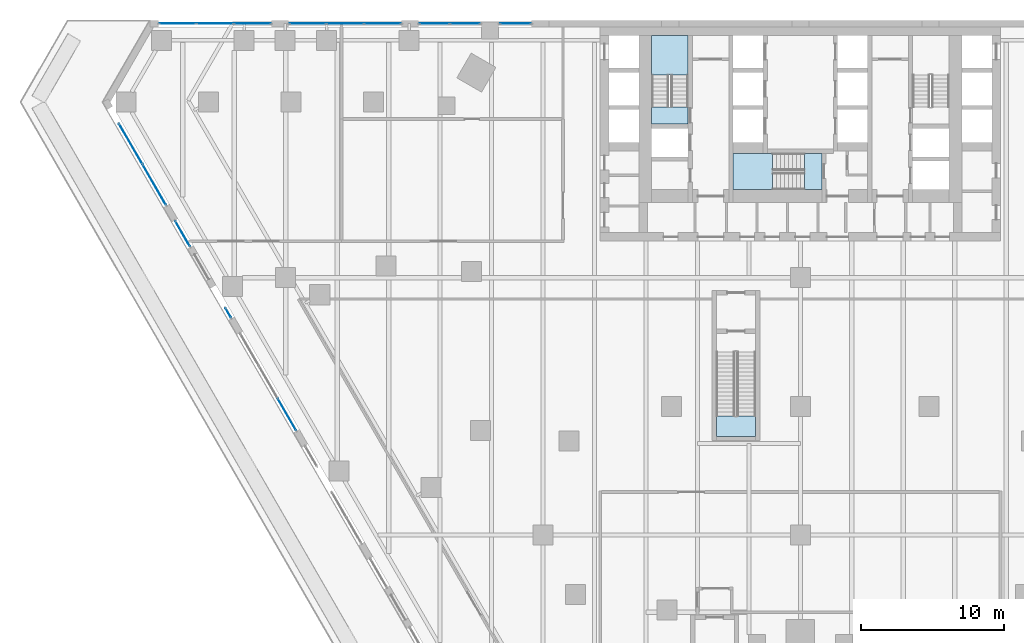
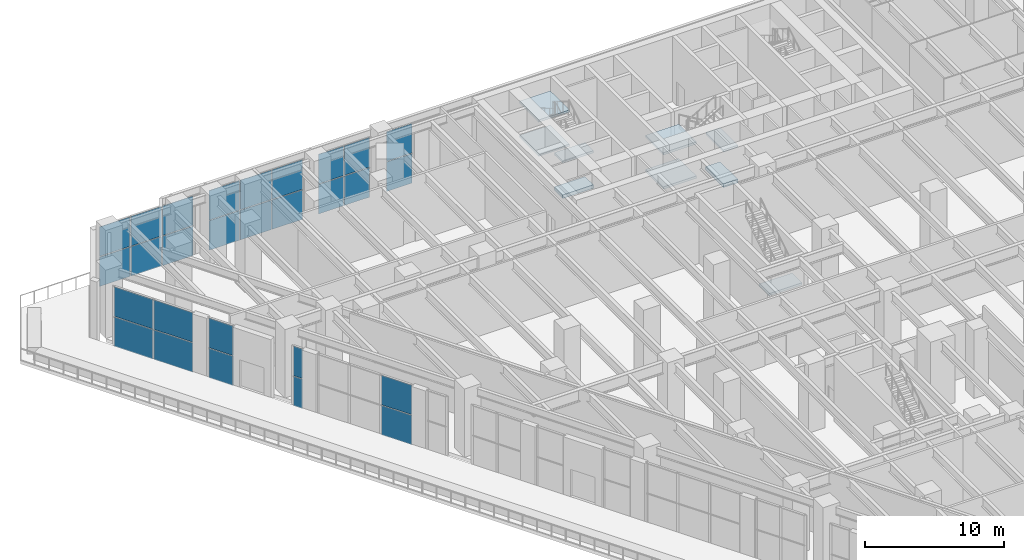
# One storey, part 25 of 40: 28 plates, 9 slabs, 11 elements without a shape of their own.
"""IFC4 building model written with IfcOpenShell, lengths in metres."""

from ifc_helpers import new_model, si_unit, direction, frame, origin, origin_2d, place, context, subcontext, project, spatial, polyline, rectangle, outline, extrude, material, layer, layer_set, type_object, element, aggregate, save


model = new_model("IFC4")

# Units and contexts
model_context = context("Model", 3, precision=1e-05, world=origin(), true_north=direction((0.0, 1.0)))
body_context = subcontext(model_context, "Body", "Model", "MODEL_VIEW")
ifc_project = project(units=[si_unit("LENGTHUNIT", "METRE"), si_unit("AREAUNIT", "SQUARE_METRE"), si_unit("VOLUMEUNIT", "CUBIC_METRE"), si_unit("PLANEANGLEUNIT", "RADIAN"), si_unit("MASSUNIT", "GRAM", prefix="KILO")], contexts=[model_context])

# Site, building, storey
site_placement = place(None, origin())
site = spatial("IfcSite", under=ifc_project, at=site_placement, CompositionType="ELEMENT")
building_placement = place(site_placement, origin())
building = spatial("IfcBuilding", under=site, at=building_placement, Name="Aloe Facet Convention Tower", CompositionType="ELEMENT")
storey_placement = place(building_placement, frame((0.0, 0.0, 13.5)))
storey = spatial("IfcBuildingStorey", under=building, at=storey_placement, Name="L02", CompositionType="ELEMENT", Elevation=13.5)

# Slabs
ifc_material_1 = material(Name="Concrete C80/95", Category="concrete")
ifc_layer_1 = layer(ifc_material_1, 0.300048828125)
ifc_layer_set_1 = layer_set([ifc_layer_1], Name="CR-S-FLOOR300-C8095")
slab_type_1 = type_object("IfcSlabType", Name="CR-S-FLOOR300-C8095", PredefinedType="FLOOR", material=ifc_layer_set_1)
slab_1_placement = place(storey_placement, frame((0.0, 0.0, -0.300048828125)))
element("IfcSlab", 1, at=slab_1_placement, inside=storey, type_object=slab_type_1, Name="Stair landing floor L02", PredefinedType="FLOOR", context=body_context, shape_type="SweptSolid", body=[
    extrude(outline(polyline([(72.14990234375, 127.75), (72.14990234375, 128.951171875), (69.60009765625, 128.951171875), (69.60009765625, 127.75), (72.14990234375, 127.75)])), origin(), (0.0, 0.0, 1.0), 0.300048828125),
])
slab_2_placement = place(storey_placement, frame((0.0, 0.0, -0.300048828125)))
element("IfcSlab", 2, at=slab_2_placement, inside=storey, type_object=slab_type_1, Name="Stair landing floor L02", PredefinedType="FLOOR", context=body_context, shape_type="SweptSolid", body=[
    extrude(outline(polyline([(81.5, 125.699951171875), (80.298828125, 125.699951171875), (80.298828125, 123.14990234375), (81.5, 123.14990234375), (81.5, 125.699951171875)])), origin(), (0.0, 0.0, 1.0), 0.300048828125),
])

# Stair, slabs
ifc_material_2 = material(Name="Concrete C50/60", Category="concrete")
stair_type_1 = type_object("IfcStairType", Name="CR-ST-36R", PredefinedType="HALF_TURN_STAIR", material=ifc_material_2)
stair_1_placement = place(storey_placement, origin())
stair_1 = element("IfcStair", 3, at=stair_1_placement, inside=storey, type_object=stair_type_1, Name="L02 Protected exit stair ST1", PredefinedType="HALF_TURN_STAIR")
ifc_material_3 = material(Name="Concrete C50/60", Category="concrete")
ifc_layer_2 = layer(ifc_material_3, 0.199951171875)
ifc_layer_set_2 = layer_set([ifc_layer_2], Name="CR-SL-LANDING")
slab_type_2 = type_object("IfcSlabType", Name="CR-SL-LANDING", PredefinedType="LANDING", material=ifc_layer_set_2)
slab_3_placement = place(storey_placement, frame((0.0, 0.0, 1.300048828125)))
slab_3 = element("IfcSlab", 4, at=slab_3_placement, type_object=slab_type_2, Name="ST1 landing 1", PredefinedType="LANDING", context=body_context, shape_type="SweptSolid", body=[
    extrude(outline(polyline([(72.14990234375, 131.18994140625), (72.14990234375, 133.949951171875), (69.60009765625, 133.949951171875), (69.60009765625, 131.18994140625), (72.14990234375, 131.18994140625)])), origin(), (0.0, 0.0, 1.0), 0.199951171875),
])
slab_4_placement = place(storey_placement, frame((0.0, 0.0, 2.800048828125)))
slab_4 = element("IfcSlab", 5, at=slab_4_placement, type_object=slab_type_2, Name="ST1 landing 2", PredefinedType="LANDING", context=body_context, shape_type="SweptSolid", body=[
    extrude(outline(polyline([(72.14990234375, 127.75), (72.14990234375, 128.949951171875), (69.60009765625, 128.949951171875), (69.60009765625, 127.75), (72.14990234375, 127.75)])), origin(), (0.0, 0.0, 1.0), 0.199951171875),
])
slab_5_placement = place(storey_placement, frame((0.0, 0.0, 4.300048828125)))
slab_5 = element("IfcSlab", 6, at=slab_5_placement, type_object=slab_type_2, Name="ST1 landing 3", PredefinedType="LANDING", context=body_context, shape_type="SweptSolid", body=[
    extrude(outline(polyline([(72.14990234375, 131.18994140625), (72.14990234375, 133.949951171875), (69.60009765625, 133.949951171875), (69.60009765625, 131.18994140625), (72.14990234375, 131.18994140625)])), origin(), (0.0, 0.0, 1.0), 0.199951171875),
])
aggregate(stair_1, [slab_3, slab_4, slab_5])

stair_2_placement = place(storey_placement, origin())
stair_2 = element("IfcStair", 7, at=stair_2_placement, inside=storey, type_object=stair_type_1, Name="L02 Protected exit stair ST3", PredefinedType="HALF_TURN_STAIR")
slab_6_placement = place(storey_placement, frame((0.0, 0.0, 1.300048828125)))
slab_6 = element("IfcSlab", 8, at=slab_6_placement, type_object=slab_type_2, Name="ST3 landing 1", PredefinedType="LANDING", context=body_context, shape_type="SweptSolid", body=[
    extrude(outline(polyline([(78.06005859375, 125.699951171875), (75.300048828125, 125.699951171875), (75.300048828125, 123.14990234375), (78.06005859375, 123.14990234375), (78.06005859375, 125.699951171875)])), origin(), (0.0, 0.0, 1.0), 0.199951171875),
])
slab_7_placement = place(storey_placement, frame((0.0, 0.0, 2.800048828125)))
slab_7 = element("IfcSlab", 9, at=slab_7_placement, type_object=slab_type_2, Name="ST3 landing 2", PredefinedType="LANDING", context=body_context, shape_type="SweptSolid", body=[
    extrude(outline(polyline([(81.5, 125.699951171875), (80.300048828125, 125.699951171875), (80.300048828125, 123.14990234375), (81.5, 123.14990234375), (81.5, 125.699951171875)])), origin(), (0.0, 0.0, 1.0), 0.199951171875),
])
slab_8_placement = place(storey_placement, frame((0.0, 0.0, 4.300048828125)))
slab_8 = element("IfcSlab", 10, at=slab_8_placement, type_object=slab_type_2, Name="ST3 landing 3", PredefinedType="LANDING", context=body_context, shape_type="SweptSolid", body=[
    extrude(outline(polyline([(78.06005859375, 125.699951171875), (75.300048828125, 125.699951171875), (75.300048828125, 123.14990234375), (78.06005859375, 123.14990234375), (78.06005859375, 125.699951171875)])), origin(), (0.0, 0.0, 1.0), 0.199951171875),
])
aggregate(stair_2, [slab_6, slab_7, slab_8])

# Stair, slab
ifc_material_4 = material(Name="Concrete C50/60", Category="concrete")
stair_type_2 = type_object("IfcStairType", Name="CR-ST-34R-W1300", PredefinedType="HALF_TURN_STAIR", material=ifc_material_4)
stair_3_placement = place(storey_placement, origin())
stair_3 = element("IfcStair", 11, at=stair_3_placement, inside=storey, type_object=stair_type_2, Name="L02 Protected exit stair ST5", PredefinedType="HALF_TURN_STAIR")
slab_9_placement = place(storey_placement, frame((0.0, 0.0, 2.800048828125)))
slab_9 = element("IfcSlab", 12, at=slab_9_placement, type_object=slab_type_2, Name="ST5 landing 1", PredefinedType="LANDING", context=body_context, shape_type="SweptSolid", body=[
    extrude(outline(polyline([(74.125, 107.320068359375), (74.125, 105.89990234375), (76.875, 105.89990234375), (76.875, 107.320068359375), (74.125, 107.320068359375)])), origin(), (0.0, 0.0, 1.0), 0.199951171875),
])
aggregate(stair_3, [slab_9])

# Curtain wall, plates
ifc_material_5 = material(Name="Aluminium, anodised", Category="aluminium")
curtain_wall_type = type_object("IfcCurtainWallType", Name="EV-CW-HALL", PredefinedType="USERDEFINED", material=ifc_material_5)
curtain_wall_1_placement = place(storey_placement, origin())
curtain_wall_1 = element("IfcCurtainWall", 13, at=curtain_wall_1_placement, inside=storey, type_object=curtain_wall_type, Name="CW-L02-N16-1", ObjectType="UNITISED HALL GLAZING", PredefinedType="USERDEFINED")
ifc_material_6 = material(Name="Clear double glazing", Category="glass")
ifc_layer_3 = layer(ifc_material_6, 0.035888671875)
ifc_layer_set_3 = layer_set([ifc_layer_3], Name="EV-PANEL-HALL")
plate_type = type_object("IfcPlateType", Name="EV-PANEL-HALL", PredefinedType="CURTAIN_PANEL", material=ifc_layer_set_3)
plate_1_placement = place(storey_placement, frame((60.076171875, 134.77490234375, -0.23486328125), z_axis=(0.0, 0.0, 1.0), x_axis=(-1.0, 0.0, 0.0)))
plate_1 = element("IfcPlate", 14, at=plate_1_placement, type_object=plate_type, Name="CW-L02-N16-1 panel 1.1", PredefinedType="CURTAIN_PANEL", context=body_context, shape_type="SweptSolid", body=[
    extrude(rectangle(XDim=2.122314453125, YDim=0.035888671875, at=origin_2d()), origin(), (0.0, 0.0, 1.0), 2.583740234375),
])
plate_2_placement = place(storey_placement, frame((60.076171875, 134.77490234375, 2.41357421875), z_axis=(0.0, 0.0, 1.0), x_axis=(-1.0, 0.0, 0.0)))
plate_2 = element("IfcPlate", 15, at=plate_2_placement, type_object=plate_type, Name="CW-L02-N16-1 panel 1.2", PredefinedType="CURTAIN_PANEL", context=body_context, shape_type="SweptSolid", body=[
    extrude(rectangle(XDim=2.122314453125, YDim=0.035888671875, at=origin_2d()), origin(), (0.0, 0.0, 1.0), 2.583740234375),
])
aggregate(curtain_wall_1, [plate_1, plate_2])

curtain_wall_2_placement = place(storey_placement, origin())
curtain_wall_2 = element("IfcCurtainWall", 16, at=curtain_wall_2_placement, inside=storey, type_object=curtain_wall_type, Name="CW-L02-N16-2", ObjectType="UNITISED HALL GLAZING", PredefinedType="USERDEFINED")
plate_3_placement = place(storey_placement, frame((56.547119140625, 134.77490234375, -0.23486328125), z_axis=(0.0, 0.0, 1.0), x_axis=(-1.0, 0.0, 0.0)))
plate_3 = element("IfcPlate", 17, at=plate_3_placement, type_object=plate_type, Name="CW-L02-N16-2 panel 1.1", PredefinedType="CURTAIN_PANEL", context=body_context, shape_type="SweptSolid", body=[
    extrude(rectangle(XDim=2.07568359375, YDim=0.035888671875, at=origin_2d()), origin(), (0.0, 0.0, 1.0), 2.583740234375),
])
plate_4_placement = place(storey_placement, frame((56.547119140625, 134.77490234375, 2.41357421875), z_axis=(0.0, 0.0, 1.0), x_axis=(-1.0, 0.0, 0.0)))
plate_4 = element("IfcPlate", 18, at=plate_4_placement, type_object=plate_type, Name="CW-L02-N16-2 panel 1.2", PredefinedType="CURTAIN_PANEL", context=body_context, shape_type="SweptSolid", body=[
    extrude(rectangle(XDim=2.07568359375, YDim=0.035888671875, at=origin_2d()), origin(), (0.0, 0.0, 1.0), 2.583740234375),
])
plate_5_placement = place(storey_placement, frame((54.406494140625, 134.77490234375, -0.23486328125), z_axis=(0.0, 0.0, 1.0), x_axis=(-1.0, 0.0, 0.0)))
plate_5 = element("IfcPlate", 19, at=plate_5_placement, type_object=plate_type, Name="CW-L02-N16-2 panel 2.1", PredefinedType="CURTAIN_PANEL", context=body_context, shape_type="SweptSolid", body=[
    extrude(rectangle(XDim=2.07568359375, YDim=0.035888671875, at=origin_2d()), origin(), (0.0, 0.0, 1.0), 2.583740234375),
])
plate_6_placement = place(storey_placement, frame((54.406494140625, 134.77490234375, 2.41357421875), z_axis=(0.0, 0.0, 1.0), x_axis=(-1.0, 0.0, 0.0)))
plate_6 = element("IfcPlate", 20, at=plate_6_placement, type_object=plate_type, Name="CW-L02-N16-2 panel 2.2", PredefinedType="CURTAIN_PANEL", context=body_context, shape_type="SweptSolid", body=[
    extrude(rectangle(XDim=2.07568359375, YDim=0.035888671875, at=origin_2d()), origin(), (0.0, 0.0, 1.0), 2.583740234375),
])
aggregate(curtain_wall_2, [plate_3, plate_4, plate_5, plate_6])

curtain_wall_3_placement = place(storey_placement, origin())
curtain_wall_3 = element("IfcCurtainWall", 21, at=curtain_wall_3_placement, inside=storey, type_object=curtain_wall_type, Name="CW-L02-N18", ObjectType="UNITISED HALL GLAZING", PredefinedType="USERDEFINED")
plate_7_placement = place(storey_placement, frame((50.77099609375, 134.77490234375, -0.23486328125), z_axis=(0.0, 0.0, 1.0), x_axis=(-1.0, 0.0, 0.0)))
plate_7 = element("IfcPlate", 22, at=plate_7_placement, type_object=plate_type, Name="CW-L02-N18 panel 1.1", PredefinedType="CURTAIN_PANEL", context=body_context, shape_type="SweptSolid", body=[
    extrude(rectangle(XDim=2.535400390625, YDim=0.035888671875, at=origin_2d()), origin(), (0.0, 0.0, 1.0), 2.583740234375),
])
plate_8_placement = place(storey_placement, frame((50.77099609375, 134.77490234375, 2.41357421875), z_axis=(0.0, 0.0, 1.0), x_axis=(-1.0, 0.0, 0.0)))
plate_8 = element("IfcPlate", 23, at=plate_8_placement, type_object=plate_type, Name="CW-L02-N18 panel 1.2", PredefinedType="CURTAIN_PANEL", context=body_context, shape_type="SweptSolid", body=[
    extrude(rectangle(XDim=2.535400390625, YDim=0.035888671875, at=origin_2d()), origin(), (0.0, 0.0, 1.0), 2.583740234375),
])
plate_9_placement = place(storey_placement, frame((48.154296875, 134.77490234375, -0.23486328125), z_axis=(0.0, 0.0, 1.0), x_axis=(-1.0, 0.0, 0.0)))
plate_9 = element("IfcPlate", 24, at=plate_9_placement, type_object=plate_type, Name="CW-L02-N18 panel 2.1", PredefinedType="CURTAIN_PANEL", context=body_context, shape_type="SweptSolid", body=[
    extrude(rectangle(XDim=2.56787109375, YDim=0.035888671875, at=origin_2d()), origin(), (0.0, 0.0, 1.0), 2.583740234375),
])
plate_10_placement = place(storey_placement, frame((48.154296875, 134.77490234375, 2.41357421875), z_axis=(0.0, 0.0, 1.0), x_axis=(-1.0, 0.0, 0.0)))
plate_10 = element("IfcPlate", 25, at=plate_10_placement, type_object=plate_type, Name="CW-L02-N18 panel 2.2", PredefinedType="CURTAIN_PANEL", context=body_context, shape_type="SweptSolid", body=[
    extrude(rectangle(XDim=2.56787109375, YDim=0.035888671875, at=origin_2d()), origin(), (0.0, 0.0, 1.0), 2.583740234375),
])
plate_11_placement = place(storey_placement, frame((45.53759765625, 134.77490234375, -0.23486328125), z_axis=(0.0, 0.0, 1.0), x_axis=(-1.0, 0.0, 0.0)))
plate_11 = element("IfcPlate", 26, at=plate_11_placement, type_object=plate_type, Name="CW-L02-N18 panel 3.1", PredefinedType="CURTAIN_PANEL", context=body_context, shape_type="SweptSolid", body=[
    extrude(rectangle(XDim=2.535400390625, YDim=0.035888671875, at=origin_2d()), origin(), (0.0, 0.0, 1.0), 2.583740234375),
])
plate_12_placement = place(storey_placement, frame((45.53759765625, 134.77490234375, 2.41357421875), z_axis=(0.0, 0.0, 1.0), x_axis=(-1.0, 0.0, 0.0)))
plate_12 = element("IfcPlate", 27, at=plate_12_placement, type_object=plate_type, Name="CW-L02-N18 panel 3.2", PredefinedType="CURTAIN_PANEL", context=body_context, shape_type="SweptSolid", body=[
    extrude(rectangle(XDim=2.535400390625, YDim=0.035888671875, at=origin_2d()), origin(), (0.0, 0.0, 1.0), 2.583740234375),
])
aggregate(curtain_wall_3, [plate_7, plate_8, plate_9, plate_10, plate_11, plate_12])

curtain_wall_4_placement = place(storey_placement, origin())
curtain_wall_4 = element("IfcCurtainWall", 28, at=curtain_wall_4_placement, inside=storey, type_object=curtain_wall_type, Name="CW-L02-N20", ObjectType="UNITISED HALL GLAZING", PredefinedType="USERDEFINED")
plate_13_placement = place(storey_placement, frame((41.672119140625, 134.77490234375, -0.23486328125), z_axis=(0.0, 0.0, 1.0), x_axis=(-1.0, 0.0, 0.0)))
plate_13 = element("IfcPlate", 29, at=plate_13_placement, type_object=plate_type, Name="CW-L02-N20 panel 1.1", PredefinedType="CURTAIN_PANEL", context=body_context, shape_type="SweptSolid", body=[
    extrude(rectangle(XDim=2.535400390625, YDim=0.035888671875, at=origin_2d()), origin(), (0.0, 0.0, 1.0), 2.583740234375),
])
plate_14_placement = place(storey_placement, frame((41.672119140625, 134.77490234375, 2.41357421875), z_axis=(0.0, 0.0, 1.0), x_axis=(-1.0, 0.0, 0.0)))
plate_14 = element("IfcPlate", 30, at=plate_14_placement, type_object=plate_type, Name="CW-L02-N20 panel 1.2", PredefinedType="CURTAIN_PANEL", context=body_context, shape_type="SweptSolid", body=[
    extrude(rectangle(XDim=2.535400390625, YDim=0.035888671875, at=origin_2d()), origin(), (0.0, 0.0, 1.0), 2.583740234375),
])
plate_15_placement = place(storey_placement, frame((39.055419921875, 134.77490234375, -0.23486328125), z_axis=(0.0, 0.0, 1.0), x_axis=(-1.0, 0.0, 0.0)))
plate_15 = element("IfcPlate", 31, at=plate_15_placement, type_object=plate_type, Name="CW-L02-N20 panel 2.1", PredefinedType="CURTAIN_PANEL", context=body_context, shape_type="SweptSolid", body=[
    extrude(rectangle(XDim=2.56787109375, YDim=0.035888671875, at=origin_2d()), origin(), (0.0, 0.0, 1.0), 2.583740234375),
])
plate_16_placement = place(storey_placement, frame((39.055419921875, 134.77490234375, 2.41357421875), z_axis=(0.0, 0.0, 1.0), x_axis=(-1.0, 0.0, 0.0)))
plate_16 = element("IfcPlate", 32, at=plate_16_placement, type_object=plate_type, Name="CW-L02-N20 panel 2.2", PredefinedType="CURTAIN_PANEL", context=body_context, shape_type="SweptSolid", body=[
    extrude(rectangle(XDim=2.56787109375, YDim=0.035888671875, at=origin_2d()), origin(), (0.0, 0.0, 1.0), 2.583740234375),
])
plate_17_placement = place(storey_placement, frame((36.438720703125, 134.77490234375, -0.23486328125), z_axis=(0.0, 0.0, 1.0), x_axis=(-1.0, 0.0, 0.0)))
plate_17 = element("IfcPlate", 33, at=plate_17_placement, type_object=plate_type, Name="CW-L02-N20 panel 3.1", PredefinedType="CURTAIN_PANEL", context=body_context, shape_type="SweptSolid", body=[
    extrude(rectangle(XDim=2.535400390625, YDim=0.035888671875, at=origin_2d()), origin(), (0.0, 0.0, 1.0), 2.583740234375),
])
plate_18_placement = place(storey_placement, frame((36.438720703125, 134.77490234375, 2.41357421875), z_axis=(0.0, 0.0, 1.0), x_axis=(-1.0, 0.0, 0.0)))
plate_18 = element("IfcPlate", 34, at=plate_18_placement, type_object=plate_type, Name="CW-L02-N20 panel 3.2", PredefinedType="CURTAIN_PANEL", context=body_context, shape_type="SweptSolid", body=[
    extrude(rectangle(XDim=2.535400390625, YDim=0.035888671875, at=origin_2d()), origin(), (0.0, 0.0, 1.0), 2.583740234375),
])
aggregate(curtain_wall_4, [plate_13, plate_14, plate_15, plate_16, plate_17, plate_18])

curtain_wall_5_placement = place(storey_placement, origin())
curtain_wall_5 = element("IfcCurtainWall", 35, at=curtain_wall_5_placement, inside=storey, type_object=curtain_wall_type, Name="CW-L02-W02", ObjectType="UNITISED HALL GLAZING", PredefinedType="USERDEFINED")
plate_19_placement = place(storey_placement, frame((33.15869140625, 126.351806640625, -0.23486328125), z_axis=(0.0, 0.0, 1.0), x_axis=(0.499999999924, -0.866025403828, 0.0)))
plate_19 = element("IfcPlate", 36, at=plate_19_placement, type_object=plate_type, Name="CW-L02-W02 panel 1.1", PredefinedType="CURTAIN_PANEL", context=body_context, shape_type="SweptSolid", body=[
    extrude(rectangle(XDim=3.2353515625, YDim=0.035888671875, at=origin_2d()), origin(), (0.0, 0.0, 1.0), 2.583740234375),
])
plate_20_placement = place(storey_placement, frame((33.15869140625, 126.351806640625, 2.41357421875), z_axis=(0.0, 0.0, 1.0), x_axis=(0.499999999924, -0.866025403828, 0.0)))
plate_20 = element("IfcPlate", 37, at=plate_20_placement, type_object=plate_type, Name="CW-L02-W02 panel 1.2", PredefinedType="CURTAIN_PANEL", context=body_context, shape_type="SweptSolid", body=[
    extrude(rectangle(XDim=3.2353515625, YDim=0.035888671875, at=origin_2d()), origin(), (0.0, 0.0, 1.0), 2.583740234375),
])
plate_21_placement = place(storey_placement, frame((34.808837890625, 123.49365234375, -0.23486328125), z_axis=(0.0, 0.0, 1.0), x_axis=(0.499999999924, -0.866025403828, 0.0)))
plate_21 = element("IfcPlate", 38, at=plate_21_placement, type_object=plate_type, Name="CW-L02-W02 panel 2.1", PredefinedType="CURTAIN_PANEL", context=body_context, shape_type="SweptSolid", body=[
    extrude(rectangle(XDim=3.2353515625, YDim=0.035888671875, at=origin_2d()), origin(), (0.0, 0.0, 1.0), 2.583740234375),
])
plate_22_placement = place(storey_placement, frame((34.808837890625, 123.49365234375, 2.41357421875), z_axis=(0.0, 0.0, 1.0), x_axis=(0.499999999924, -0.866025403828, 0.0)))
plate_22 = element("IfcPlate", 39, at=plate_22_placement, type_object=plate_type, Name="CW-L02-W02 panel 2.2", PredefinedType="CURTAIN_PANEL", context=body_context, shape_type="SweptSolid", body=[
    extrude(rectangle(XDim=3.2353515625, YDim=0.035888671875, at=origin_2d()), origin(), (0.0, 0.0, 1.0), 2.583740234375),
])
aggregate(curtain_wall_5, [plate_19, plate_20, plate_21, plate_22])

curtain_wall_6_placement = place(storey_placement, origin())
curtain_wall_6 = element("IfcCurtainWall", 40, at=curtain_wall_6_placement, inside=storey, type_object=curtain_wall_type, Name="CW-L02-W04A", ObjectType="UNITISED HALL GLAZING", PredefinedType="USERDEFINED")
plate_23_placement = place(storey_placement, frame((36.78759765625, 120.066650390625, -0.23486328125), z_axis=(0.0, 0.0, 1.0), x_axis=(0.499999999743, -0.866025403933, 0.0)))
plate_23 = element("IfcPlate", 41, at=plate_23_placement, type_object=plate_type, Name="CW-L02-W04A panel 1.1", PredefinedType="CURTAIN_PANEL", context=body_context, shape_type="SweptSolid", body=[
    extrude(rectangle(XDim=2.019287109375, YDim=0.035888671875, at=origin_2d()), origin(), (0.0, 0.0, 1.0), 2.583740234375),
])
plate_24_placement = place(storey_placement, frame((36.78759765625, 120.066650390625, 2.41357421875), z_axis=(0.0, 0.0, 1.0), x_axis=(0.499999999743, -0.866025403933, 0.0)))
plate_24 = element("IfcPlate", 42, at=plate_24_placement, type_object=plate_type, Name="CW-L02-W04A panel 1.2", PredefinedType="CURTAIN_PANEL", context=body_context, shape_type="SweptSolid", body=[
    extrude(rectangle(XDim=2.019287109375, YDim=0.035888671875, at=origin_2d()), origin(), (0.0, 0.0, 1.0), 2.583740234375),
])
aggregate(curtain_wall_6, [plate_23, plate_24])

curtain_wall_7_placement = place(storey_placement, origin())
curtain_wall_7 = element("IfcCurtainWall", 43, at=curtain_wall_7_placement, inside=storey, type_object=curtain_wall_type, Name="CW-L02-W04B", ObjectType="UNITISED HALL GLAZING", PredefinedType="USERDEFINED")
plate_25_placement = place(storey_placement, frame((39.982177734375, 114.533447265625, -0.23486328125), z_axis=(0.0, 0.0, 1.0), x_axis=(0.500000000196, -0.866025403671, 0.0)))
plate_25 = element("IfcPlate", 44, at=plate_25_placement, type_object=plate_type, Name="CW-L02-W04B panel 1.1", PredefinedType="CURTAIN_PANEL", context=body_context, shape_type="SweptSolid", body=[
    extrude(rectangle(XDim=0.739990234375, YDim=0.035888671875, at=origin_2d()), origin(), (0.0, 0.0, 1.0), 2.583740234375),
])
plate_26_placement = place(storey_placement, frame((39.982177734375, 114.533447265625, 2.41357421875), z_axis=(0.0, 0.0, 1.0), x_axis=(0.500000000196, -0.866025403671, 0.0)))
plate_26 = element("IfcPlate", 45, at=plate_26_placement, type_object=plate_type, Name="CW-L02-W04B panel 1.2", PredefinedType="CURTAIN_PANEL", context=body_context, shape_type="SweptSolid", body=[
    extrude(rectangle(XDim=0.739990234375, YDim=0.035888671875, at=origin_2d()), origin(), (0.0, 0.0, 1.0), 2.583740234375),
])
aggregate(curtain_wall_7, [plate_25, plate_26])

curtain_wall_8_placement = place(storey_placement, origin())
curtain_wall_8 = element("IfcCurtainWall", 46, at=curtain_wall_8_placement, inside=storey, type_object=curtain_wall_type, Name="CW-L02-W06", ObjectType="UNITISED HALL GLAZING", PredefinedType="USERDEFINED")
plate_27_placement = place(storey_placement, frame((44.082763671875, 107.43115234375, -0.23486328125), z_axis=(0.0, 0.0, 1.0), x_axis=(0.499999999985, -0.866025403793, 0.0)))
plate_27 = element("IfcPlate", 47, at=plate_27_placement, type_object=plate_type, Name="CW-L02-W06 panel 3.1", PredefinedType="CURTAIN_PANEL", context=body_context, shape_type="SweptSolid", body=[
    extrude(rectangle(XDim=2.535400390625, YDim=0.035888671875, at=origin_2d()), origin(), (0.0, 0.0, 1.0), 2.583740234375),
])
plate_28_placement = place(storey_placement, frame((44.082763671875, 107.43115234375, 2.41357421875), z_axis=(0.0, 0.0, 1.0), x_axis=(0.499999999985, -0.866025403793, 0.0)))
plate_28 = element("IfcPlate", 48, at=plate_28_placement, type_object=plate_type, Name="CW-L02-W06 panel 3.2", PredefinedType="CURTAIN_PANEL", context=body_context, shape_type="SweptSolid", body=[
    extrude(rectangle(XDim=2.535400390625, YDim=0.035888671875, at=origin_2d()), origin(), (0.0, 0.0, 1.0), 2.583740234375),
])
aggregate(curtain_wall_8, [plate_27, plate_28])

save(model, "model.ifc")
